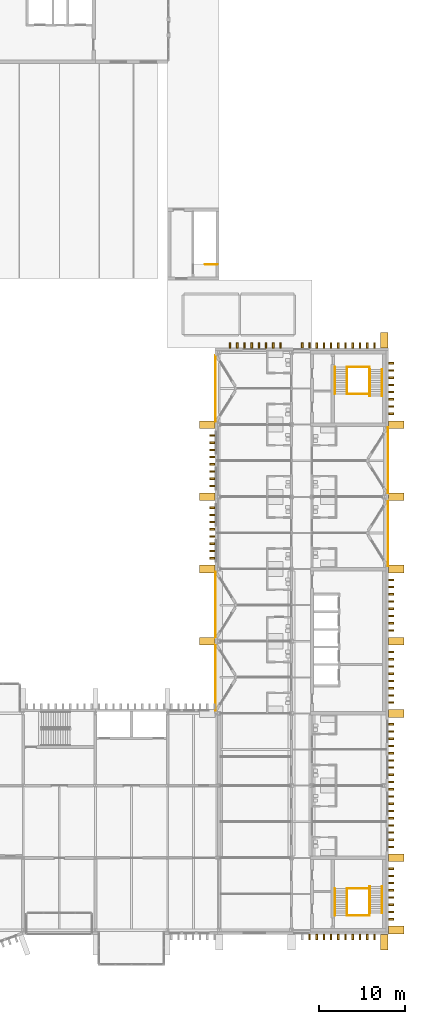
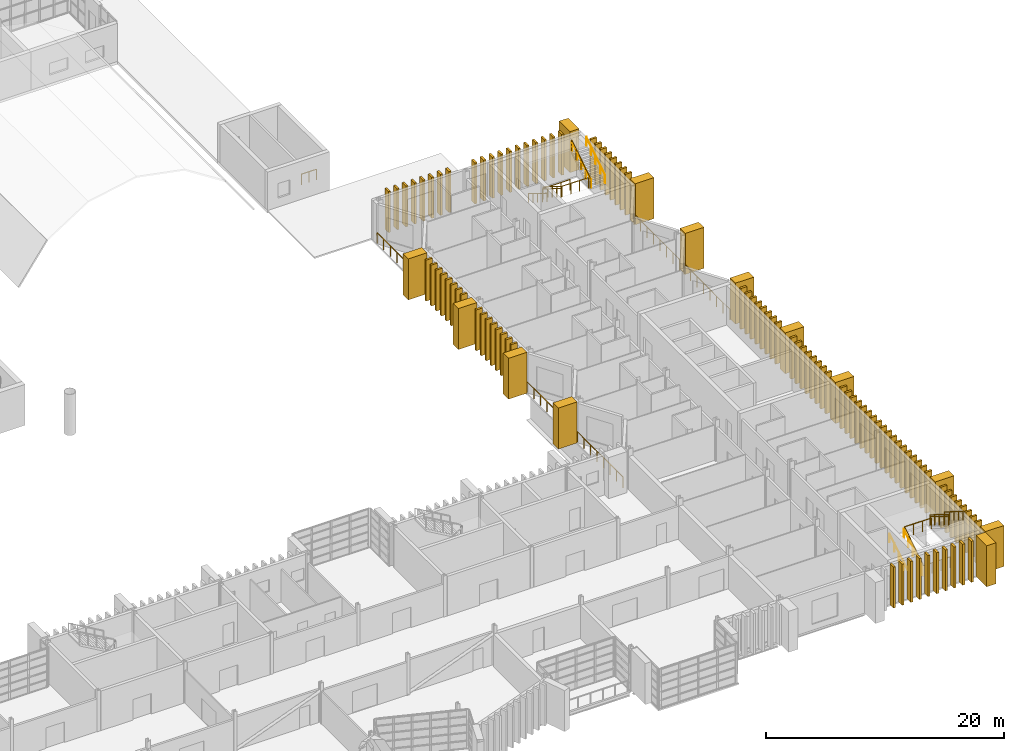
# One storey, part 99 of 100: 108 coverings, 22 railings.
"""IFC4 building model written with IfcOpenShell, lengths in metres."""

import ifcopenshell
import ifcopenshell.guid

model = None  # the IFC model being written
_history = None  # IfcOwnerHistory: only IFC2X3 demands one
_inside = {}  # id of a spatial element -> (the spatial element, [elements in it])
_under = {}  # id of a project, library or spatial element -> (it, [spatial elements below it])
_declared = {}  # id of a project -> (the project, [libraries it declares])
_typed = {}  # id of a type object -> (the type object, [elements of that type])
_made_of = {}  # id of a material, layer set ... -> (it, [elements and type objects made of it])


def new_model(schema):
    """Start an empty IFC model of exactly this schema.

    Asked for "IFC4X3", IfcOpenShell would pick the latest addendum, in which some entities
    have other attributes; the version numbers below select the first issue.
    IFC2X3 requires an IfcOwnerHistory on every rooted entity: one is made here for all.
    """
    global model, _history
    if schema == "IFC4X3":
        model = ifcopenshell.file(schema_version=(4, 3, 0, 0))
    else:
        model = ifcopenshell.file(schema=schema)
    _inside.clear()
    _under.clear()
    _declared.clear()
    _typed.clear()
    _made_of.clear()
    _history = None
    if model.schema == "IFC2X3":
        org = make("IfcOrganization", Name="unknown")
        user = make(
            "IfcPersonAndOrganization",
            ThePerson=make("IfcPerson", FamilyName="unknown"),
            TheOrganization=org,
        )
        app = make(
            "IfcApplication",
            ApplicationDeveloper=org,
            Version="unknown",
            ApplicationFullName="unknown",
            ApplicationIdentifier="unknown",
        )
        _history = make(
            "IfcOwnerHistory",
            OwningUser=user,
            OwningApplication=app,
            ChangeAction="ADDED",
            CreationDate=0,
        )
    return model


def make(cls, **values):
    """One entity of the class cls with the attributes given. An attribute that is None is left unset."""
    return model.create_entity(
        cls, **{name: value for name, value in values.items() if value is not None}
    )


def rooted(cls, **values):
    """An entity with a GlobalId (a new one), such as an element, a storey or a relation."""
    return make(cls, GlobalId=ifcopenshell.guid.new(), OwnerHistory=_history, **values)


def si_unit(unit_type, name, prefix=None):
    """IfcSIUnit, for example si_unit("LENGTHUNIT", "METRE", prefix="MILLI")."""
    return make("IfcSIUnit", UnitType=unit_type, Prefix=prefix, Name=name)


def assignment(units):
    """IfcUnitAssignment: the units of a project."""
    return None if units is None else make("IfcUnitAssignment", Units=units)


def point(xyz):
    """IfcCartesianPoint."""
    return None if xyz is None else make("IfcCartesianPoint", Coordinates=xyz)


def direction(xyz):
    """IfcDirection."""
    return None if xyz is None else make("IfcDirection", DirectionRatios=xyz)


def frame(location, z_axis=None, x_axis=None):
    """IfcAxis2Placement3D, a coordinate frame: its origin and axes. An axis left out is left unset."""
    return make(
        "IfcAxis2Placement3D",
        Location=point(location),
        Axis=direction(z_axis),
        RefDirection=direction(x_axis),
    )


def frame_2d(location, x_axis=None):
    """IfcAxis2Placement2D, a coordinate frame in the plane: its origin and x axis."""
    return make(
        "IfcAxis2Placement2D", Location=point(location), RefDirection=direction(x_axis)
    )


def origin():
    """The frame at (0, 0, 0) with its axes left unset."""
    return frame((0.0, 0.0, 0.0))


def origin_2d():
    """The frame at (0, 0) in the plane with its x axis left unset."""
    return frame_2d((0.0, 0.0))


def place(relative_to, where):
    """IfcLocalPlacement: puts the frame where relative to a parent placement (None: the world)."""
    return make(
        "IfcLocalPlacement", PlacementRelTo=relative_to, RelativePlacement=where
    )


def context(
    kind, dimensions, precision=None, world=None, true_north=None, identifier=None
):
    """IfcGeometricRepresentationContext, for example the 3D "Model" context."""
    return make(
        "IfcGeometricRepresentationContext",
        ContextIdentifier=identifier,
        ContextType=kind,
        CoordinateSpaceDimension=dimensions,
        Precision=precision,
        WorldCoordinateSystem=world,
        TrueNorth=true_north,
    )


def subcontext(parent, identifier, kind, view, scale=None):
    """IfcGeometricRepresentationSubContext, for example "Body" below "Model"."""
    return make(
        "IfcGeometricRepresentationSubContext",
        ContextIdentifier=identifier,
        ContextType=kind,
        ParentContext=parent,
        TargetScale=scale,
        TargetView=view,
    )


def project(units=None, contexts=None):
    """IfcProject with its units and contexts."""
    return rooted(
        "IfcProject",
        Name="project",
        RepresentationContexts=contexts,
        UnitsInContext=assignment(units),
    )


def spatial(cls, under=None, at=None, **own):
    """A site, building, storey or space (cls), placed at a placement, below another one or the project."""
    s = rooted(cls, ObjectPlacement=at, **own)
    if under is not None:
        _under.setdefault(under.id(), (under, []))[1].append(s)
    return s


def profile(cls, at=None, kind="AREA", **sizes):
    """A parametric profile (cls). Its sizes go by their IFC names, for example OverallWidth=200.0."""
    return make(cls, ProfileType=kind, Position=at, **sizes)


def rectangle(**sizes):
    """IfcRectangleProfileDef."""
    return profile("IfcRectangleProfileDef", **sizes)


def circle(**sizes):
    """IfcCircleProfileDef."""
    return profile("IfcCircleProfileDef", **sizes)


def extrude(swept, where, along, depth):
    """IfcExtrudedAreaSolid: the profile swept, set in the frame where, extruded along a direction by depth."""
    return make(
        "IfcExtrudedAreaSolid",
        SweptArea=swept,
        Position=where,
        ExtrudedDirection=direction(along),
        Depth=depth,
    )


def shape(context_of_items, identifier, shape_type, items):
    """IfcShapeRepresentation: the items that make up one representation, for example the "Body"."""
    return make(
        "IfcShapeRepresentation",
        ContextOfItems=context_of_items,
        RepresentationIdentifier=identifier,
        RepresentationType=shape_type,
        Items=items,
    )


def material(Name=None, Category=None):
    """IfcMaterial."""
    return make("IfcMaterial", Name=Name, Category=Category)


def made_of(thing, what):
    """Note that an element or type object is made of a material, layer set ...; save() writes the relation."""
    if what is not None:
        _made_of.setdefault(what.id(), (what, []))[1].append(thing)
    return thing


def type_object(cls, material=None, **own):
    """A type object (cls), such as IfcWallType, which elements share."""
    return made_of(rooted(cls, **own), material)


def element(
    cls,
    number,
    at=None,
    inside=None,
    cuts=None,
    type_object=None,
    material=None,
    context=None,
    identifier="Body",
    shape_type=None,
    held_by="IfcProductDefinitionShape",
    body=None,
    shapes=None,
    **own,
):
    """One element of the class cls, such as IfcWall. Its Tag is "e" and its number.

    at: its placement. inside: the storey or other place that contains it. cuts: it is an
    opening in that element (IfcRelVoidsElement). A single representation is given by context,
    identifier, shape_type and body (its items); several are given by shapes. held_by: the class
    of the entity that holds the representations. save() writes the other relations.
    """
    e = rooted(cls, Tag="e%d" % number, ObjectPlacement=at, **own)
    if body is not None:
        shapes = [shape(context, identifier, shape_type, body)]
    if shapes is not None:
        e.Representation = make(held_by, Representations=shapes)
    if inside is not None:
        _inside.setdefault(inside.id(), (inside, []))[1].append(e)
    if cuts is not None:
        rooted(
            "IfcRelVoidsElement", RelatingBuildingElement=cuts, RelatedOpeningElement=e
        )
    if type_object is not None:
        _typed.setdefault(type_object.id(), (type_object, []))[1].append(e)
    return made_of(e, material)


def aggregate(whole, parts):
    """IfcRelAggregates: a whole, such as a stair, and the parts it consists of."""
    return rooted("IfcRelAggregates", RelatingObject=whole, RelatedObjects=parts)


def save(model, path):
    """Write the relations noted so far, then the file.

    IfcRelAggregates (storeys below a building ...), IfcRelContainedInSpatialStructure (elements
    in a storey), IfcRelDefinesByType, IfcRelAssociatesMaterial and IfcRelDeclares: one each for
    every whole, place, type object, material and project.
    """
    for whole, parts in _under.values():
        aggregate(whole, parts)
    for where, things in _inside.values():
        rooted(
            "IfcRelContainedInSpatialStructure",
            RelatedElements=things,
            RelatingStructure=where,
        )
    for kind, things in _typed.values():
        rooted("IfcRelDefinesByType", RelatedObjects=things, RelatingType=kind)
    for what, things in _made_of.values():
        rooted("IfcRelAssociatesMaterial", RelatedObjects=things, RelatingMaterial=what)
    for by, libraries in _declared.values():
        rooted("IfcRelDeclares", RelatingContext=by, RelatedDefinitions=libraries)
    model.write(path)


model = new_model("IFC4")

# Units and contexts
model_context = context("Model", 3, precision=1e-05, world=origin(), true_north=direction((0.0, 1.0)))
body_context = subcontext(model_context, "Body", "Model", "MODEL_VIEW")
ifc_project = project(units=[si_unit("LENGTHUNIT", "METRE"), si_unit("AREAUNIT", "SQUARE_METRE"), si_unit("VOLUMEUNIT", "CUBIC_METRE"), si_unit("PLANEANGLEUNIT", "RADIAN"), si_unit("MASSUNIT", "GRAM", prefix="KILO")], contexts=[model_context])

# Site, building, storey
site_placement = place(None, origin())
site = spatial("IfcSite", under=ifc_project, at=site_placement, CompositionType="ELEMENT")
building_placement = place(site_placement, origin())
building = spatial("IfcBuilding", under=site, at=building_placement, Name="Cresset Court Congress Hotel", CompositionType="ELEMENT")
storey_placement = place(building_placement, frame((0.0, 0.0, 10.199951171875)))
storey = spatial("IfcBuildingStorey", under=building, at=storey_placement, Name="L02", CompositionType="ELEMENT", Elevation=10.199951171875)

# Coverings
ifc_material_1 = material(Name="Precast concrete C50", Category="concrete")
covering_type_1 = type_object("IfcCoveringType", Name="Precast stone fin 200x600", PredefinedType="CLADDING", material=ifc_material_1)
for number, where, z_axis, x_axis, name in (
    (1, (177.199951171875, 1.260009765625, 0.0), (0.0, 0.0, 1.0), (1.0, 0.0, 0.0), "Fin E002"),
    (2, (177.199951171875, 2.10009765625, 0.0), (0.0, 0.0, 1.0), (1.0, 0.0, 0.0), "Fin E003"),
    (3, (177.199951171875, 2.93994140625, 0.0), (0.0, 0.0, 1.0), (1.0, 0.0, 0.0), "Fin E004"),
    (4, (177.199951171875, 3.780029296875, 0.0), (0.0, 0.0, 1.0), (1.0, 0.0, 0.0), "Fin E005"),
    (5, (177.199951171875, 4.6201171875, 0.0), (0.0, 0.0, 1.0), (1.0, 0.0, 0.0), "Fin E006"),
    (6, (177.199951171875, 5.4599609375, 0.0), (0.0, 0.0, 1.0), (1.0, 0.0, 0.0), "Fin E007"),
    (7, (177.199951171875, 6.300048828125, 0.0), (0.0, 0.0, 1.0), (1.0, 0.0, 0.0), "Fin E008"),
    (8, (177.199951171875, 7.139892578125, 0.0), (0.0, 0.0, 1.0), (1.0, 0.0, 0.0), "Fin E009"),
    (9, (177.199951171875, 9.659912109375, 0.0), (0.0, 0.0, 1.0), (1.0, 0.0, 0.0), "Fin E012"),
    (10, (177.199951171875, 10.5, 0.0), (0.0, 0.0, 1.0), (1.0, 0.0, 0.0), "Fin E013"),
    (11, (177.199951171875, 11.340087890625, 0.0), (0.0, 0.0, 1.0), (1.0, 0.0, 0.0), "Fin E014"),
    (12, (177.199951171875, 12.179931640625, 0.0), (0.0, 0.0, 1.0), (1.0, 0.0, 0.0), "Fin E015"),
    (13, (177.199951171875, 13.02001953125, 0.0), (0.0, 0.0, 1.0), (1.0, 0.0, 0.0), "Fin E016"),
    (14, (177.199951171875, 13.860107421875, 0.0), (0.0, 0.0, 1.0), (1.0, 0.0, 0.0), "Fin E017"),
    (15, (177.199951171875, 14.699951171875, 0.0), (0.0, 0.0, 1.0), (1.0, 0.0, 0.0), "Fin E018"),
    (16, (177.199951171875, 15.5400390625, 0.0), (0.0, 0.0, 1.0), (1.0, 0.0, 0.0), "Fin E019"),
    (17, (177.199951171875, 16.3798828125, 0.0), (0.0, 0.0, 1.0), (1.0, 0.0, 0.0), "Fin E020"),
    (18, (177.199951171875, 17.219970703125, 0.0), (0.0, 0.0, 1.0), (1.0, 0.0, 0.0), "Fin E021"),
    (19, (177.199951171875, 18.06005859375, 0.0), (0.0, 0.0, 1.0), (1.0, 0.0, 0.0), "Fin E022"),
    (20, (177.199951171875, 18.89990234375, 0.0), (0.0, 0.0, 1.0), (1.0, 0.0, 0.0), "Fin E023"),
    (21, (177.199951171875, 19.739990234375, 0.0), (0.0, 0.0, 1.0), (1.0, 0.0, 0.0), "Fin E024"),
    (22, (177.199951171875, 20.580078125, 0.0), (0.0, 0.0, 1.0), (1.0, 0.0, 0.0), "Fin E025"),
    (23, (177.199951171875, 21.419921875, 0.0), (0.0, 0.0, 1.0), (1.0, 0.0, 0.0), "Fin E026"),
    (24, (177.199951171875, 22.260009765625, 0.0), (0.0, 0.0, 1.0), (1.0, 0.0, 0.0), "Fin E027"),
    (25, (177.199951171875, 23.10009765625, 0.0), (0.0, 0.0, 1.0), (1.0, 0.0, 0.0), "Fin E028"),
    (26, (177.199951171875, 23.93994140625, 0.0), (0.0, 0.0, 1.0), (1.0, 0.0, 0.0), "Fin E029"),
    (27, (177.199951171875, 26.4599609375, 0.0), (0.0, 0.0, 1.0), (1.0, 0.0, 0.0), "Fin E032"),
    (28, (177.199951171875, 27.300048828125, 0.0), (0.0, 0.0, 1.0), (1.0, 0.0, 0.0), "Fin E033"),
    (29, (177.199951171875, 28.139892578125, 0.0), (0.0, 0.0, 1.0), (1.0, 0.0, 0.0), "Fin E034"),
    (30, (177.199951171875, 28.97998046875, 0.0), (0.0, 0.0, 1.0), (1.0, 0.0, 0.0), "Fin E035"),
    (31, (177.199951171875, 29.820068359375, 0.0), (0.0, 0.0, 1.0), (1.0, 0.0, 0.0), "Fin E036"),
    (32, (177.199951171875, 30.659912109375, 0.0), (0.0, 0.0, 1.0), (1.0, 0.0, 0.0), "Fin E037"),
    (33, (177.199951171875, 31.5, 0.0), (0.0, 0.0, 1.0), (1.0, 0.0, 0.0), "Fin E038"),
    (34, (177.199951171875, 32.340087890625, 0.0), (0.0, 0.0, 1.0), (1.0, 0.0, 0.0), "Fin E039"),
    (35, (177.199951171875, 34.860107421875, 0.0), (0.0, 0.0, 1.0), (1.0, 0.0, 0.0), "Fin E042"),
    (36, (177.199951171875, 35.699951171875, 0.0), (0.0, 0.0, 1.0), (1.0, 0.0, 0.0), "Fin E043"),
    (37, (177.199951171875, 36.5400390625, 0.0), (0.0, 0.0, 1.0), (1.0, 0.0, 0.0), "Fin E044"),
    (38, (177.199951171875, 37.3798828125, 0.0), (0.0, 0.0, 1.0), (1.0, 0.0, 0.0), "Fin E045"),
    (39, (177.199951171875, 38.219970703125, 0.0), (0.0, 0.0, 1.0), (1.0, 0.0, 0.0), "Fin E046"),
    (40, (177.199951171875, 39.06005859375, 0.0), (0.0, 0.0, 1.0), (1.0, 0.0, 0.0), "Fin E047"),
    (41, (177.199951171875, 39.89990234375, 0.0), (0.0, 0.0, 1.0), (1.0, 0.0, 0.0), "Fin E048"),
    (42, (177.199951171875, 40.739990234375, 0.0), (0.0, 0.0, 1.0), (1.0, 0.0, 0.0), "Fin E049"),
    (43, (177.199951171875, 60.06005859375, 0.0), (0.0, 0.0, 1.0), (1.0, 0.0, 0.0), "Fin E072"),
    (44, (177.199951171875, 60.89990234375, 0.0), (0.0, 0.0, 1.0), (1.0, 0.0, 0.0), "Fin E073"),
    (45, (177.199951171875, 61.739990234375, 0.0), (0.0, 0.0, 1.0), (1.0, 0.0, 0.0), "Fin E074"),
    (46, (177.199951171875, 62.580078125, 0.0), (0.0, 0.0, 1.0), (1.0, 0.0, 0.0), "Fin E075"),
    (47, (177.199951171875, 63.419921875, 0.0), (0.0, 0.0, 1.0), (1.0, 0.0, 0.0), "Fin E076"),
    (48, (177.199951171875, 64.260009765625, 0.0), (0.0, 0.0, 1.0), (1.0, 0.0, 0.0), "Fin E077"),
    (49, (177.199951171875, 65.10009765625, 0.0), (0.0, 0.0, 1.0), (1.0, 0.0, 0.0), "Fin E078"),
    (50, (177.199951171875, 65.93994140625, 0.0), (0.0, 0.0, 1.0), (1.0, 0.0, 0.0), "Fin E079"),
    (51, (156.39990234375, 43.260009765625, 0.0), (0.0, 0.0, 1.0), (1.0, 0.0, 0.0), "Fin W052"),
    (52, (156.39990234375, 44.10009765625, 0.0), (0.0, 0.0, 1.0), (1.0, 0.0, 0.0), "Fin W053"),
    (53, (156.39990234375, 44.93994140625, 0.0), (0.0, 0.0, 1.0), (1.0, 0.0, 0.0), "Fin W054"),
    (54, (156.39990234375, 45.780029296875, 0.0), (0.0, 0.0, 1.0), (1.0, 0.0, 0.0), "Fin W055"),
    (55, (156.39990234375, 46.6201171875, 0.0), (0.0, 0.0, 1.0), (1.0, 0.0, 0.0), "Fin W056"),
    (56, (156.39990234375, 47.4599609375, 0.0), (0.0, 0.0, 1.0), (1.0, 0.0, 0.0), "Fin W057"),
    (57, (156.39990234375, 48.300048828125, 0.0), (0.0, 0.0, 1.0), (1.0, 0.0, 0.0), "Fin W058"),
    (58, (156.39990234375, 49.139892578125, 0.0), (0.0, 0.0, 1.0), (1.0, 0.0, 0.0), "Fin W059"),
    (59, (156.39990234375, 51.659912109375, 0.0), (0.0, 0.0, 1.0), (1.0, 0.0, 0.0), "Fin W062"),
    (60, (156.39990234375, 52.5, 0.0), (0.0, 0.0, 1.0), (1.0, 0.0, 0.0), "Fin W063"),
    (61, (156.39990234375, 53.340087890625, 0.0), (0.0, 0.0, 1.0), (1.0, 0.0, 0.0), "Fin W064"),
    (62, (156.39990234375, 54.179931640625, 0.0), (0.0, 0.0, 1.0), (1.0, 0.0, 0.0), "Fin W065"),
    (63, (156.39990234375, 55.02001953125, 0.0), (0.0, 0.0, 1.0), (1.0, 0.0, 0.0), "Fin W066"),
    (64, (156.39990234375, 55.860107421875, 0.0), (0.0, 0.0, 1.0), (1.0, 0.0, 0.0), "Fin W067"),
    (65, (156.39990234375, 56.699951171875, 0.0), (0.0, 0.0, 1.0), (1.0, 0.0, 0.0), "Fin W068"),
    (66, (156.39990234375, 57.5400390625, 0.0), (0.0, 0.0, 1.0), (1.0, 0.0, 0.0), "Fin W069"),
):
    element("IfcCovering", number, at=place(storey_placement, frame(where, z_axis=z_axis, x_axis=x_axis)), inside=storey, type_object=covering_type_1, Name=name, PredefinedType="CLADDING", context=body_context, shape_type="SweptSolid", body=[
        extrude(rectangle(XDim=0.60009765625, YDim=0.199951171875, at=origin_2d()), origin(), (0.0, 0.0, 1.0), 4.199951171875),
    ])
for number, where, z_axis, x_axis, name in (
    (67, (167.699951171875, -0.800048828125, 0.0), (0.0, 0.0, 1.0), (1.0, 0.0, 0.0), "Fin S013"),
    (68, (168.5400390625, -0.800048828125, 0.0), (0.0, 0.0, 1.0), (1.0, 0.0, 0.0), "Fin S014"),
    (69, (169.3798828125, -0.800048828125, 0.0), (0.0, 0.0, 1.0), (1.0, 0.0, 0.0), "Fin S015"),
    (70, (170.219970703125, -0.800048828125, 0.0), (0.0, 0.0, 1.0), (1.0, 0.0, 0.0), "Fin S016"),
    (71, (171.06005859375, -0.800048828125, 0.0), (0.0, 0.0, 1.0), (1.0, 0.0, 0.0), "Fin S017"),
    (72, (171.89990234375, -0.800048828125, 0.0), (0.0, 0.0, 1.0), (1.0, 0.0, 0.0), "Fin S018"),
    (73, (172.739990234375, -0.800048828125, 0.0), (0.0, 0.0, 1.0), (1.0, 0.0, 0.0), "Fin S019"),
    (74, (173.580078125, -0.800048828125, 0.0), (0.0, 0.0, 1.0), (1.0, 0.0, 0.0), "Fin S020"),
    (75, (174.419921875, -0.800048828125, 0.0), (0.0, 0.0, 1.0), (1.0, 0.0, 0.0), "Fin S021"),
    (76, (175.260009765625, -0.800048828125, 0.0), (0.0, 0.0, 1.0), (1.0, 0.0, 0.0), "Fin S022"),
    (77, (158.4599609375, 68.0, 0.0), (0.0, 0.0, 1.0), (1.0, 0.0, 0.0), "Fin N002"),
    (78, (159.300048828125, 68.0, 0.0), (0.0, 0.0, 1.0), (1.0, 0.0, 0.0), "Fin N003"),
    (79, (160.139892578125, 68.0, 0.0), (0.0, 0.0, 1.0), (1.0, 0.0, 0.0), "Fin N004"),
    (80, (160.97998046875, 68.0, 0.0), (0.0, 0.0, 1.0), (1.0, 0.0, 0.0), "Fin N005"),
    (81, (161.820068359375, 68.0, 0.0), (0.0, 0.0, 1.0), (1.0, 0.0, 0.0), "Fin N006"),
    (82, (162.659912109375, 68.0, 0.0), (0.0, 0.0, 1.0), (1.0, 0.0, 0.0), "Fin N007"),
    (83, (163.5, 68.0, 0.0), (0.0, 0.0, 1.0), (1.0, 0.0, 0.0), "Fin N008"),
    (84, (164.340087890625, 68.0, 0.0), (0.0, 0.0, 1.0), (1.0, 0.0, 0.0), "Fin N009"),
    (85, (166.860107421875, 68.0, 0.0), (0.0, 0.0, 1.0), (1.0, 0.0, 0.0), "Fin N012"),
    (86, (167.699951171875, 68.0, 0.0), (0.0, 0.0, 1.0), (1.0, 0.0, 0.0), "Fin N013"),
    (87, (168.5400390625, 68.0, 0.0), (0.0, 0.0, 1.0), (1.0, 0.0, 0.0), "Fin N014"),
    (88, (169.3798828125, 68.0, 0.0), (0.0, 0.0, 1.0), (1.0, 0.0, 0.0), "Fin N015"),
    (89, (170.219970703125, 68.0, 0.0), (0.0, 0.0, 1.0), (1.0, 0.0, 0.0), "Fin N016"),
    (90, (171.06005859375, 68.0, 0.0), (0.0, 0.0, 1.0), (1.0, 0.0, 0.0), "Fin N017"),
    (91, (171.89990234375, 68.0, 0.0), (0.0, 0.0, 1.0), (1.0, 0.0, 0.0), "Fin N018"),
    (92, (172.739990234375, 68.0, 0.0), (0.0, 0.0, 1.0), (1.0, 0.0, 0.0), "Fin N019"),
    (93, (173.580078125, 68.0, 0.0), (0.0, 0.0, 1.0), (1.0, 0.0, 0.0), "Fin N020"),
    (94, (174.419921875, 68.0, 0.0), (0.0, 0.0, 1.0), (1.0, 0.0, 0.0), "Fin N021"),
    (95, (175.260009765625, 68.0, 0.0), (0.0, 0.0, 1.0), (1.0, 0.0, 0.0), "Fin N022"),
):
    element("IfcCovering", number, at=place(storey_placement, frame(where, z_axis=z_axis, x_axis=x_axis)), inside=storey, type_object=covering_type_1, Name=name, PredefinedType="CLADDING", context=body_context, shape_type="SweptSolid", body=[
        extrude(rectangle(XDim=0.199951171875, YDim=0.60009765625, at=origin_2d()), origin(), (0.0, 0.0, 1.0), 4.199951171875),
    ])
ifc_material_2 = material(Name="Precast concrete C50", Category="concrete")
covering_type_2 = type_object("IfcCoveringType", Name="Precast stone pier 900x1800", PredefinedType="CLADDING", material=ifc_material_2)
for number, where, z_axis, x_axis, name in (
    (96, (177.800048828125, 0.0, 0.0), (0.0, 0.0, 1.0), (1.0, 0.0, 0.0), "Pier E01"),
    (97, (177.800048828125, 8.39990234375, 0.0), (0.0, 0.0, 1.0), (1.0, 0.0, 0.0), "Pier E02"),
    (98, (177.800048828125, 25.199951171875, 0.0), (0.0, 0.0, 1.0), (1.0, 0.0, 0.0), "Pier E03"),
    (99, (177.800048828125, 33.60009765625, 0.0), (0.0, 0.0, 1.0), (1.0, 0.0, 0.0), "Pier E04"),
    (100, (177.800048828125, 42.0, 0.0), (0.0, 0.0, 1.0), (1.0, 0.0, 0.0), "Pier E05"),
    (101, (177.800048828125, 50.39990234375, 0.0), (0.0, 0.0, 1.0), (1.0, 0.0, 0.0), "Pier E06"),
    (102, (177.800048828125, 58.800048828125, 0.0), (0.0, 0.0, 1.0), (1.0, 0.0, 0.0), "Pier E07"),
    (103, (155.800048828125, 33.60009765625, 0.0), (0.0, 0.0, 1.0), (1.0, 0.0, 0.0), "Pier W05"),
    (104, (155.800048828125, 42.0, 0.0), (0.0, 0.0, 1.0), (1.0, 0.0, 0.0), "Pier W06"),
    (105, (155.800048828125, 50.39990234375, 0.0), (0.0, 0.0, 1.0), (1.0, 0.0, 0.0), "Pier W07"),
    (106, (155.800048828125, 58.800048828125, 0.0), (0.0, 0.0, 1.0), (1.0, 0.0, 0.0), "Pier W08"),
):
    element("IfcCovering", number, at=place(storey_placement, frame(where, z_axis=z_axis, x_axis=x_axis)), inside=storey, type_object=covering_type_2, Name=name, PredefinedType="CLADDING", context=body_context, shape_type="SweptSolid", body=[
        extrude(rectangle(XDim=1.800048828125, YDim=0.89990234375, at=origin_2d()), origin(), (0.0, 0.0, 1.0), 4.199951171875),
    ])
for number, where, z_axis, x_axis, name in (
    (107, (176.39990234375, -1.39990234375, 0.0), (0.0, 0.0, 1.0), (1.0, 0.0, 0.0), "Pier S03"),
    (108, (176.39990234375, 68.60009765625, 0.0), (0.0, 0.0, 1.0), (1.0, 0.0, 0.0), "Pier N03"),
):
    element("IfcCovering", number, at=place(storey_placement, frame(where, z_axis=z_axis, x_axis=x_axis)), inside=storey, type_object=covering_type_2, Name=name, PredefinedType="CLADDING", context=body_context, shape_type="SweptSolid", body=[
        extrude(rectangle(XDim=0.89990234375, YDim=1.800048828125, at=origin_2d()), origin(), (0.0, 0.0, 1.0), 4.199951171875),
    ])

# Railings
ifc_material_3 = material(Name="Stainless steel", Category="steel")
railing_type_1 = type_object("IfcRailingType", Name="Slot ledge guard 1100", PredefinedType="GUARDRAIL", material=ifc_material_3)
for number, where, name in (
    (109, (156.780029296875, 25.550048828125, 0.0), "Slot guard W4 L02"),
    (110, (156.780029296875, 33.949951171875, 0.0), "Slot guard W5 L02"),
):
    element("IfcRailing", number, at=place(storey_placement, frame(where)), inside=storey, type_object=railing_type_1, Name=name, PredefinedType="GUARDRAIL", context=body_context, shape_type="SweptSolid", body=[
        extrude(circle(Radius=0.02392578125, at=origin_2d()), frame((0.0, 0.0, 1.076171875), z_axis=(0.0, 1.0, 0.0), x_axis=(-1.0, 0.0, 0.0)), (0.0, 0.0, 1.0), 7.699951171875),
        extrude(circle(Radius=0.02099609375, at=origin_2d()), origin(), (0.0, 0.0, 1.0), 1.052001953125),
        extrude(circle(Radius=0.02099609375, at=origin_2d()), frame((0.0, 1.10009765625, 0.0)), (0.0, 0.0, 1.0), 1.052001953125),
        extrude(circle(Radius=0.02099609375, at=origin_2d()), frame((0.0, 2.199951171875, 0.0)), (0.0, 0.0, 1.0), 1.052001953125),
        extrude(circle(Radius=0.02099609375, at=origin_2d()), frame((0.0, 3.300048828125, 0.0)), (0.0, 0.0, 1.0), 1.052001953125),
        extrude(circle(Radius=0.02099609375, at=origin_2d()), frame((0.0, 4.39990234375, 0.0)), (0.0, 0.0, 1.0), 1.052001953125),
        extrude(circle(Radius=0.02099609375, at=origin_2d()), frame((0.0, 5.5, 0.0)), (0.0, 0.0, 1.0), 1.052001953125),
        extrude(circle(Radius=0.02099609375, at=origin_2d()), frame((0.0, 6.599853515625, 0.0)), (0.0, 0.0, 1.0), 1.052001953125),
        extrude(circle(Radius=0.02099609375, at=origin_2d()), frame((0.0, 7.699951171875, 0.0)), (0.0, 0.0, 1.0), 1.052001953125),
    ])
railing_1_placement = place(storey_placement, frame((156.780029296875, 59.14990234375, 0.0)))
element("IfcRailing", 111, at=railing_1_placement, inside=storey, type_object=railing_type_1, Name="Slot guard W8 L02", PredefinedType="GUARDRAIL", context=body_context, shape_type="SweptSolid", body=[
    extrude(circle(Radius=0.02392578125, at=origin_2d()), frame((0.0, 0.0, 1.076171875), z_axis=(0.0, 1.0, 0.0), x_axis=(-1.0, 0.0, 0.0)), (0.0, 0.0, 1.0), 7.7001953125),
    extrude(circle(Radius=0.02099609375, at=origin_2d()), origin(), (0.0, 0.0, 1.0), 1.052001953125),
    extrude(circle(Radius=0.02099609375, at=origin_2d()), frame((0.0, 1.10009765625, 0.0)), (0.0, 0.0, 1.0), 1.052001953125),
    extrude(circle(Radius=0.02099609375, at=origin_2d()), frame((0.0, 2.199951171875, 0.0)), (0.0, 0.0, 1.0), 1.052001953125),
    extrude(circle(Radius=0.02099609375, at=origin_2d()), frame((0.0, 3.300048828125, 0.0)), (0.0, 0.0, 1.0), 1.052001953125),
    extrude(circle(Radius=0.02099609375, at=origin_2d()), frame((0.0, 4.400146484375, 0.0)), (0.0, 0.0, 1.0), 1.052001953125),
    extrude(circle(Radius=0.02099609375, at=origin_2d()), frame((0.0, 5.500244140625, 0.0)), (0.0, 0.0, 1.0), 1.052001953125),
    extrude(circle(Radius=0.02099609375, at=origin_2d()), frame((0.0, 6.60009765625, 0.0)), (0.0, 0.0, 1.0), 1.052001953125),
    extrude(circle(Radius=0.02099609375, at=origin_2d()), frame((0.0, 7.7001953125, 0.0)), (0.0, 0.0, 1.0), 1.052001953125),
])
for number, where, name in (
    (112, (176.820068359375, 42.35009765625, 0.0), "Slot guard E6 L02"),
    (113, (176.820068359375, 50.75, 0.0), "Slot guard E7 L02"),
):
    element("IfcRailing", number, at=place(storey_placement, frame(where)), inside=storey, type_object=railing_type_1, Name=name, PredefinedType="GUARDRAIL", context=body_context, shape_type="SweptSolid", body=[
        extrude(circle(Radius=0.02392578125, at=origin_2d()), frame((0.0, 0.0, 1.076171875), z_axis=(0.0, 1.0, 0.0), x_axis=(-1.0, 0.0, 0.0)), (0.0, 0.0, 1.0), 7.699951171875),
        extrude(circle(Radius=0.02099609375, at=origin_2d()), origin(), (0.0, 0.0, 1.0), 1.052001953125),
        extrude(circle(Radius=0.02099609375, at=origin_2d()), frame((0.0, 1.10009765625, 0.0)), (0.0, 0.0, 1.0), 1.052001953125),
        extrude(circle(Radius=0.02099609375, at=origin_2d()), frame((0.0, 2.199951171875, 0.0)), (0.0, 0.0, 1.0), 1.052001953125),
        extrude(circle(Radius=0.02099609375, at=origin_2d()), frame((0.0, 3.300048828125, 0.0)), (0.0, 0.0, 1.0), 1.052001953125),
        extrude(circle(Radius=0.02099609375, at=origin_2d()), frame((0.0, 4.39990234375, 0.0)), (0.0, 0.0, 1.0), 1.052001953125),
        extrude(circle(Radius=0.02099609375, at=origin_2d()), frame((0.0, 5.5, 0.0)), (0.0, 0.0, 1.0), 1.052001953125),
        extrude(circle(Radius=0.02099609375, at=origin_2d()), frame((0.0, 6.599853515625, 0.0)), (0.0, 0.0, 1.0), 1.052001953125),
        extrude(circle(Radius=0.02099609375, at=origin_2d()), frame((0.0, 7.699951171875, 0.0)), (0.0, 0.0, 1.0), 1.052001953125),
    ])
ifc_material_4 = material(Name="Stainless steel", Category="steel")
railing_type_2 = type_object("IfcRailingType", Name="Stair guard 1100", PredefinedType="GUARDRAIL", material=ifc_material_4)
railing_2_placement = place(storey_placement, frame((172.10009765625, 1.699951171875, 0.16162109375)))
element("IfcRailing", 114, at=railing_2_placement, inside=storey, type_object=railing_type_2, Name="Guard A1 L02", PredefinedType="GUARDRAIL", context=body_context, shape_type="SweptSolid", body=[
    extrude(circle(Radius=0.02392578125, at=origin_2d()), frame((0.0, 0.0, 1.076171875), z_axis=(0.0, 0.849414166554, 0.527726798313), x_axis=(-1.0, 0.0, 0.0)), (0.0, 0.0, 1.0), 3.67333984375),
    extrude(circle(Radius=0.02099609375, at=origin_2d()), origin(), (0.0, 0.0, 1.0), 1.052001953125),
    extrude(circle(Radius=0.02099609375, at=origin_2d()), frame((0.0, 0.780029296875, 0.484619140625)), (0.0, 0.0, 1.0), 1.052001953125),
    extrude(circle(Radius=0.02099609375, at=origin_2d()), frame((0.0, 1.56005859375, 0.96923828125)), (0.0, 0.0, 1.0), 1.052001953125),
    extrude(circle(Radius=0.02099609375, at=origin_2d()), frame((0.0, 2.340087890625, 1.453857421875)), (0.0, 0.0, 1.0), 1.052001953125),
    extrude(circle(Radius=0.02099609375, at=origin_2d()), frame((0.0, 3.1201171875, 1.9384765625)), (0.0, 0.0, 1.0), 1.052001953125),
])
railing_3_placement = place(storey_placement, frame((174.699951171875, 5.080078125, 2.261474609375)))
element("IfcRailing", 115, at=railing_3_placement, inside=storey, type_object=railing_type_2, Name="Guard A1 L02", PredefinedType="GUARDRAIL", context=body_context, shape_type="SweptSolid", body=[
    extrude(circle(Radius=0.02392578125, at=origin_2d()), frame((0.0, 0.0, 1.076171875), z_axis=(0.0, -0.849414166554, 0.527726798313), x_axis=(1.0, 0.0, 0.0)), (0.0, 0.0, 1.0), 3.67333984375),
    extrude(circle(Radius=0.02099609375, at=origin_2d()), origin(), (0.0, 0.0, 1.0), 1.052001953125),
    extrude(circle(Radius=0.02099609375, at=origin_2d()), frame((0.0, -0.780029296875, 0.484619140625)), (0.0, 0.0, 1.0), 1.052001953125),
    extrude(circle(Radius=0.02099609375, at=origin_2d()), frame((0.0, -1.56005859375, 0.96923828125)), (0.0, 0.0, 1.0), 1.052001953125),
    extrude(circle(Radius=0.02099609375, at=origin_2d()), frame((0.0, -2.340087890625, 1.453857421875)), (0.0, 0.0, 1.0), 1.052001953125),
    extrude(circle(Radius=0.02099609375, at=origin_2d()), frame((0.0, -3.1201171875, 1.9384765625)), (0.0, 0.0, 1.0), 1.052001953125),
])
for number, where, name in (
    (116, (172.10009765625, 1.699951171875, 0.0), "Guard A1 L02"),
    (117, (172.10009765625, 4.820068359375, 2.10009765625), "Guard A1 L02"),
):
    element("IfcRailing", number, at=place(storey_placement, frame(where)), inside=storey, type_object=railing_type_2, Name=name, PredefinedType="GUARDRAIL", context=body_context, shape_type="SweptSolid", body=[
        extrude(circle(Radius=0.02392578125, at=origin_2d()), frame((0.0, 0.0, 1.076171875), z_axis=(1.0, 0.0, 0.0), x_axis=(0.0, 1.0, 0.0)), (0.0, 0.0, 1.0), 2.599853515625),
        extrude(circle(Radius=0.02099609375, at=origin_2d()), origin(), (0.0, 0.0, 1.0), 1.052001953125),
        extrude(circle(Radius=0.02099609375, at=origin_2d()), frame((0.86669921875, 0.0, 0.0)), (0.0, 0.0, 1.0), 1.052001953125),
        extrude(circle(Radius=0.02099609375, at=origin_2d()), frame((1.733154296875, 0.0, 0.0)), (0.0, 0.0, 1.0), 1.052001953125),
        extrude(circle(Radius=0.02099609375, at=origin_2d()), frame((2.599853515625, 0.0, 0.0)), (0.0, 0.0, 1.0), 1.052001953125),
    ])
railing_4_placement = place(storey_placement, frame((172.10009765625, 65.5, 0.16162109375)))
element("IfcRailing", 118, at=railing_4_placement, inside=storey, type_object=railing_type_2, Name="Guard A2 L02", PredefinedType="GUARDRAIL", context=body_context, shape_type="SweptSolid", body=[
    extrude(circle(Radius=0.02392578125, at=origin_2d()), frame((0.0, 0.0, 1.076171875), z_axis=(0.0, -0.849414166554, 0.527726798313), x_axis=(1.0, 0.0, 0.0)), (0.0, 0.0, 1.0), 3.67333984375),
    extrude(circle(Radius=0.02099609375, at=origin_2d()), origin(), (0.0, 0.0, 1.0), 1.052001953125),
    extrude(circle(Radius=0.02099609375, at=origin_2d()), frame((0.0, -0.780029296875, 0.484619140625)), (0.0, 0.0, 1.0), 1.052001953125),
    extrude(circle(Radius=0.02099609375, at=origin_2d()), frame((0.0, -1.56005859375, 0.96923828125)), (0.0, 0.0, 1.0), 1.052001953125),
    extrude(circle(Radius=0.02099609375, at=origin_2d()), frame((0.0, -2.340087890625, 1.453857421875)), (0.0, 0.0, 1.0), 1.052001953125),
    extrude(circle(Radius=0.02099609375, at=origin_2d()), frame((0.0, -3.1201171875, 1.9384765625)), (0.0, 0.0, 1.0), 1.052001953125),
])
railing_5_placement = place(storey_placement, frame((174.699951171875, 62.1201171875, 2.261474609375)))
element("IfcRailing", 119, at=railing_5_placement, inside=storey, type_object=railing_type_2, Name="Guard A2 L02", PredefinedType="GUARDRAIL", context=body_context, shape_type="SweptSolid", body=[
    extrude(circle(Radius=0.02392578125, at=origin_2d()), frame((0.0, 0.0, 1.076171875), z_axis=(0.0, 0.849395654964, 0.52775659288), x_axis=(-1.0, 0.0, 0.0)), (0.0, 0.0, 1.0), 3.673095703125),
    extrude(circle(Radius=0.02099609375, at=origin_2d()), origin(), (0.0, 0.0, 1.0), 1.052001953125),
    extrude(circle(Radius=0.02099609375, at=origin_2d()), frame((0.0, 0.780029296875, 0.484619140625)), (0.0, 0.0, 1.0), 1.052001953125),
    extrude(circle(Radius=0.02099609375, at=origin_2d()), frame((0.0, 1.56005859375, 0.96923828125)), (0.0, 0.0, 1.0), 1.052001953125),
    extrude(circle(Radius=0.02099609375, at=origin_2d()), frame((0.0, 2.33984375, 1.453857421875)), (0.0, 0.0, 1.0), 1.052001953125),
    extrude(circle(Radius=0.02099609375, at=origin_2d()), frame((0.0, 3.119873046875, 1.9384765625)), (0.0, 0.0, 1.0), 1.052001953125),
])
for number, where, name in (
    (120, (172.10009765625, 65.5, 0.0), "Guard A2 L02"),
    (121, (172.10009765625, 62.3798828125, 2.10009765625), "Guard A2 L02"),
):
    element("IfcRailing", number, at=place(storey_placement, frame(where)), inside=storey, type_object=railing_type_2, Name=name, PredefinedType="GUARDRAIL", context=body_context, shape_type="SweptSolid", body=[
        extrude(circle(Radius=0.02392578125, at=origin_2d()), frame((0.0, 0.0, 1.076171875), z_axis=(1.0, 0.0, 0.0), x_axis=(0.0, 1.0, 0.0)), (0.0, 0.0, 1.0), 2.599853515625),
        extrude(circle(Radius=0.02099609375, at=origin_2d()), origin(), (0.0, 0.0, 1.0), 1.052001953125),
        extrude(circle(Radius=0.02099609375, at=origin_2d()), frame((0.86669921875, 0.0, 0.0)), (0.0, 0.0, 1.0), 1.052001953125),
        extrude(circle(Radius=0.02099609375, at=origin_2d()), frame((1.733154296875, 0.0, 0.0)), (0.0, 0.0, 1.0), 1.052001953125),
        extrude(circle(Radius=0.02099609375, at=origin_2d()), frame((2.599853515625, 0.0, 0.0)), (0.0, 0.0, 1.0), 1.052001953125),
    ])
ifc_material_5 = material(Name="Stainless steel", Category="steel")
railing_type_3 = type_object("IfcRailingType", Name="Stair guard 1100 internal", PredefinedType="GUARDRAIL", material=ifc_material_5)
railing_6_placement = place(storey_placement, frame((157.0, 77.449951171875, 0.0)))
element("IfcRailing", 122, at=railing_6_placement, inside=storey, type_object=railing_type_3, Name="L02 ST-E2 top well guard 1", PredefinedType="GUARDRAIL", context=body_context, shape_type="SweptSolid", body=[
    extrude(circle(Radius=0.02392578125, at=origin_2d()), frame((0.0, 0.0, 1.076171875), z_axis=(-1.0, 0.0, 0.0), x_axis=(0.0, -1.0, 0.0)), (0.0, 0.0, 1.0), 1.449951171875),
    extrude(circle(Radius=0.02099609375, at=origin_2d()), origin(), (0.0, 0.0, 1.0), 1.052001953125),
    extrude(circle(Radius=0.02099609375, at=origin_2d()), frame((-0.72509765625, 0.0, 0.0)), (0.0, 0.0, 1.0), 1.052001953125),
    extrude(circle(Radius=0.02099609375, at=origin_2d()), frame((-1.449951171875, 0.0, 0.0)), (0.0, 0.0, 1.0), 1.052001953125),
])
ifc_material_6 = material(Name="Stainless steel", Category="steel")
railing_type_4 = type_object("IfcRailingType", Name="Stair handrail 900", PredefinedType="HANDRAIL", material=ifc_material_6)
for number, where, name in (
    (123, (170.659912109375, 1.699951171875, 0.16162109375), "Handrail A1 L02"),
    (124, (172.0400390625, 1.699951171875, 0.16162109375), "Handrail A1 L02"),
):
    element("IfcRailing", number, at=place(storey_placement, frame(where)), inside=storey, type_object=railing_type_4, Name=name, PredefinedType="HANDRAIL", context=body_context, shape_type="SweptSolid", body=[
        extrude(circle(Radius=0.02392578125, at=origin_2d()), frame((0.0, 0.0, 0.8759765625), z_axis=(0.0, 0.849414166554, 0.527726798313), x_axis=(-1.0, 0.0, 0.0)), (0.0, 0.0, 1.0), 3.67333984375),
        extrude(circle(Radius=0.02099609375, at=origin_2d()), origin(), (0.0, 0.0, 1.0), 0.851806640625),
        extrude(circle(Radius=0.02099609375, at=origin_2d()), frame((0.0, 0.780029296875, 0.484619140625)), (0.0, 0.0, 1.0), 0.851806640625),
        extrude(circle(Radius=0.02099609375, at=origin_2d()), frame((0.0, 1.56005859375, 0.96923828125)), (0.0, 0.0, 1.0), 0.851806640625),
        extrude(circle(Radius=0.02099609375, at=origin_2d()), frame((0.0, 2.340087890625, 1.453857421875)), (0.0, 0.0, 1.0), 0.851806640625),
        extrude(circle(Radius=0.02099609375, at=origin_2d()), frame((0.0, 3.1201171875, 1.9384765625)), (0.0, 0.0, 1.0), 0.851806640625),
    ])
for number, where, name in (
    (125, (174.760009765625, 5.080078125, 2.261474609375), "Handrail A1 L02"),
    (126, (176.139892578125, 5.080078125, 2.261474609375), "Handrail A1 L02"),
    (127, (170.659912109375, 65.5, 0.16162109375), "Handrail A2 L02"),
    (128, (172.0400390625, 65.5, 0.16162109375), "Handrail A2 L02"),
):
    element("IfcRailing", number, at=place(storey_placement, frame(where)), inside=storey, type_object=railing_type_4, Name=name, PredefinedType="HANDRAIL", context=body_context, shape_type="SweptSolid", body=[
        extrude(circle(Radius=0.02392578125, at=origin_2d()), frame((0.0, 0.0, 0.8759765625), z_axis=(0.0, -0.849414166554, 0.527726798313), x_axis=(1.0, 0.0, 0.0)), (0.0, 0.0, 1.0), 3.67333984375),
        extrude(circle(Radius=0.02099609375, at=origin_2d()), origin(), (0.0, 0.0, 1.0), 0.851806640625),
        extrude(circle(Radius=0.02099609375, at=origin_2d()), frame((0.0, -0.780029296875, 0.484619140625)), (0.0, 0.0, 1.0), 0.851806640625),
        extrude(circle(Radius=0.02099609375, at=origin_2d()), frame((0.0, -1.56005859375, 0.96923828125)), (0.0, 0.0, 1.0), 0.851806640625),
        extrude(circle(Radius=0.02099609375, at=origin_2d()), frame((0.0, -2.340087890625, 1.453857421875)), (0.0, 0.0, 1.0), 0.851806640625),
        extrude(circle(Radius=0.02099609375, at=origin_2d()), frame((0.0, -3.1201171875, 1.9384765625)), (0.0, 0.0, 1.0), 0.851806640625),
    ])
for number, where, name in (
    (129, (174.760009765625, 62.1201171875, 2.261474609375), "Handrail A2 L02"),
    (130, (176.139892578125, 62.1201171875, 2.261474609375), "Handrail A2 L02"),
):
    element("IfcRailing", number, at=place(storey_placement, frame(where)), inside=storey, type_object=railing_type_4, Name=name, PredefinedType="HANDRAIL", context=body_context, shape_type="SweptSolid", body=[
        extrude(circle(Radius=0.02392578125, at=origin_2d()), frame((0.0, 0.0, 0.8759765625), z_axis=(0.0, 0.849395654964, 0.52775659288), x_axis=(-1.0, 0.0, 0.0)), (0.0, 0.0, 1.0), 3.673095703125),
        extrude(circle(Radius=0.02099609375, at=origin_2d()), origin(), (0.0, 0.0, 1.0), 0.851806640625),
        extrude(circle(Radius=0.02099609375, at=origin_2d()), frame((0.0, 0.780029296875, 0.484619140625)), (0.0, 0.0, 1.0), 0.851806640625),
        extrude(circle(Radius=0.02099609375, at=origin_2d()), frame((0.0, 1.56005859375, 0.96923828125)), (0.0, 0.0, 1.0), 0.851806640625),
        extrude(circle(Radius=0.02099609375, at=origin_2d()), frame((0.0, 2.33984375, 1.453857421875)), (0.0, 0.0, 1.0), 0.851806640625),
        extrude(circle(Radius=0.02099609375, at=origin_2d()), frame((0.0, 3.119873046875, 1.9384765625)), (0.0, 0.0, 1.0), 0.851806640625),
    ])

save(model, "model.ifc")
